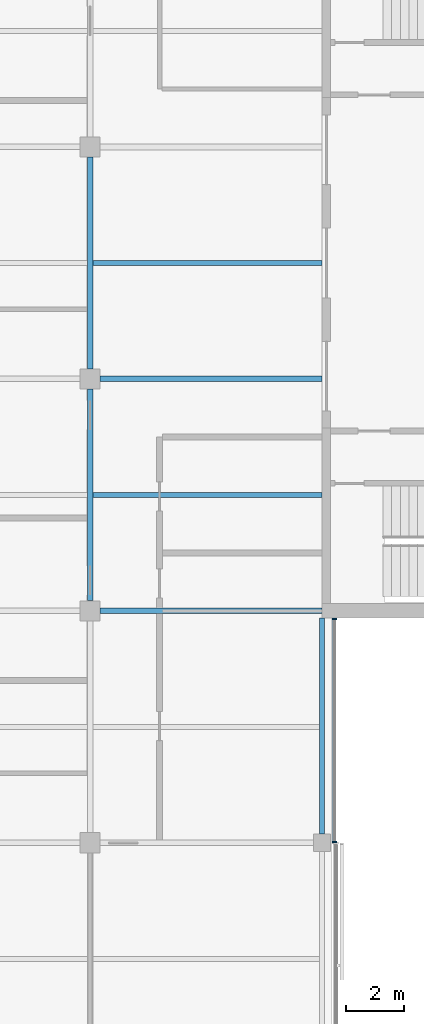
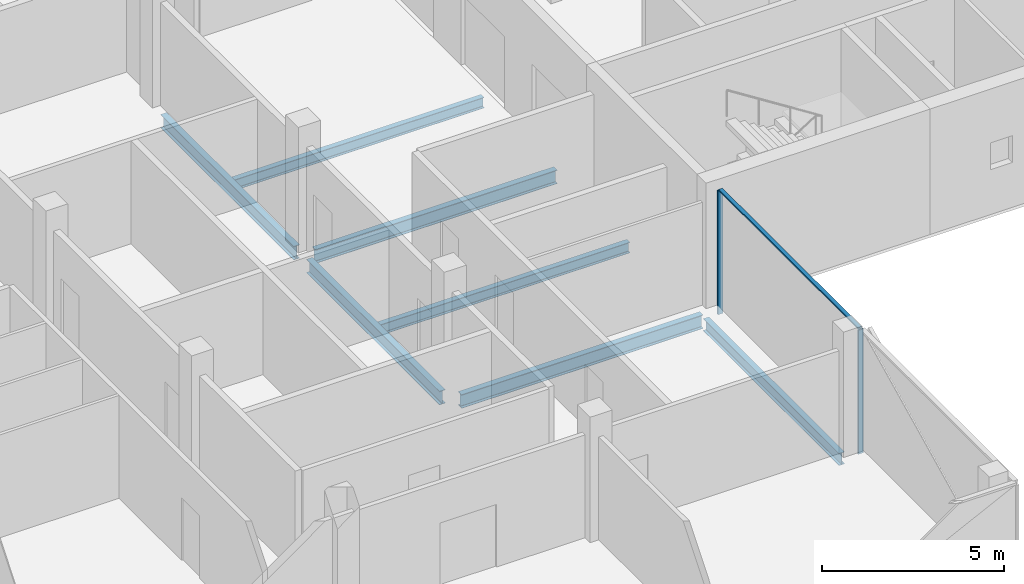
# One storey, part 4 of 16: 7 beams, 3 members, 1 element without a shape of its own.
"""IFC4 building model written with IfcOpenShell, lengths in metres."""

from ifc_helpers import new_model, si_unit, direction, frame, origin, origin_2d, place, context, subcontext, project, spatial, rectangle, i_section, extrude, material, material_profile, profile_set, type_object, element, aggregate, save


model = new_model("IFC4")

# Units and contexts
model_context = context("Model", 3, precision=1e-05, world=origin(), true_north=direction((0.0, 1.0)))
body_context = subcontext(model_context, "Body", "Model", "MODEL_VIEW")
ifc_project = project(units=[si_unit("LENGTHUNIT", "METRE"), si_unit("AREAUNIT", "SQUARE_METRE"), si_unit("VOLUMEUNIT", "CUBIC_METRE"), si_unit("PLANEANGLEUNIT", "RADIAN"), si_unit("MASSUNIT", "GRAM", prefix="KILO")], contexts=[model_context])

# Site, building, storey
site_placement = place(None, origin())
site = spatial("IfcSite", under=ifc_project, at=site_placement, CompositionType="ELEMENT")
building_placement = place(site_placement, origin())
building = spatial("IfcBuilding", under=site, at=building_placement, Name="Crosswind Convention Tower", CompositionType="ELEMENT")
storey_placement = place(building_placement, frame((0.0, 0.0, 291.300048828125)))
storey = spatial("IfcBuildingStorey", under=building, at=storey_placement, Name="L63", CompositionType="ELEMENT", Elevation=291.300048828125)

# Beams
ifc_material_1 = material(Name="Steel S355", Category="steel")
ifc_material_profile_1 = material_profile(ifc_material_1, i_section(OverallWidth=0.177734375, OverallDepth=0.406494140625, WebThickness=0.0078125, FlangeThickness=0.0126953125, FilletRadius=0.01025390625, at=origin_2d()), Name="UB 406x178x60")
ifc_profile_set_1 = profile_set([ifc_material_profile_1], Name="Steel S355")
beam_type_1 = type_object("IfcBeamType", Name="Edge beam UB 406x178x60", PredefinedType="SPANDREL", material=ifc_profile_set_1)
beam_placement = place(storey_placement, frame((137.0, 80.300048828125, -0.503173828125), z_axis=(0.0, 1.0, 0.0), x_axis=(-1.0, 0.0, 0.0)))
element("IfcBeam", 1, at=beam_placement, inside=storey, type_object=beam_type_1, Name="B15 L63 edge beam 12", PredefinedType="SPANDREL", context=body_context, shape_type="SweptSolid", body=[
    extrude(i_section(OverallWidth=0.177734375, OverallDepth=0.406494140625, WebThickness=0.0078125, FlangeThickness=0.0126953125, FilletRadius=0.01025390625, at=origin_2d()), origin(), (0.0, 0.0, 1.0), 7.449951171875),
])
ifc_material_profile_2 = material_profile(ifc_material_1, i_section(OverallWidth=0.18994140625, OverallDepth=0.45361328125, WebThickness=0.008544921875, FlangeThickness=0.0126953125, FilletRadius=0.01025390625, at=origin_2d()), Name="UB 457x191x67")
ifc_profile_set_2 = profile_set([ifc_material_profile_2], Name="Steel S355")
beam_type_2 = type_object("IfcBeamType", Name="Girder UB 457x191x67", PredefinedType="BEAM", material=ifc_profile_set_2)
for number, where, z_axis, x_axis, name in (
    (2, (129.0, 88.35009765625, -0.52685546875), (0.0, 1.0, 0.0), (-1.0, 0.0, 0.0), "B1 L63 girder 18"),
    (3, (129.0, 96.35009765625, -0.52685546875), (0.0, 1.0, 0.0), (-1.0, 0.0, 0.0), "B1 L63 girder 19"),
):
    element("IfcBeam", number, at=place(storey_placement, frame(where, z_axis=z_axis, x_axis=x_axis)), inside=storey, type_object=beam_type_2, Name=name, PredefinedType="BEAM", context=body_context, shape_type="SweptSolid", body=[
        extrude(i_section(OverallWidth=0.18994140625, OverallDepth=0.45361328125, WebThickness=0.008544921875, FlangeThickness=0.0126953125, FilletRadius=0.01025390625, at=origin_2d()), origin(), (0.0, 0.0, 1.0), 7.2998046875),
    ])
ifc_material_profile_3 = material_profile(ifc_material_1, i_section(OverallWidth=0.1904296875, OverallDepth=0.457275390625, WebThickness=0.009033203125, FlangeThickness=0.014404296875, FilletRadius=0.01025390625, at=origin_2d()), Name="UB 457x191x75")
ifc_profile_set_3 = profile_set([ifc_material_profile_3], Name="Steel S355")
beam_type_3 = type_object("IfcBeamType", Name="Girder at core wall UB 457x191x75", PredefinedType="BEAM", material=ifc_profile_set_3)
for number, where, z_axis, x_axis, name in (
    (4, (129.35009765625, 88.0, -0.528564453125), (1.0, 0.0, 0.0), (0.0, 1.0, 0.0), "B22 L63 girder at core wall 5"),
    (5, (129.35009765625, 96.0, -0.528564453125), (1.0, 0.0, 0.0), (0.0, 1.0, 0.0), "B22 L63 girder at core wall 6"),
):
    element("IfcBeam", number, at=place(storey_placement, frame(where, z_axis=z_axis, x_axis=x_axis)), inside=storey, type_object=beam_type_3, Name=name, PredefinedType="BEAM", context=body_context, shape_type="SweptSolid", body=[
        extrude(i_section(OverallWidth=0.1904296875, OverallDepth=0.457275390625, WebThickness=0.009033203125, FlangeThickness=0.014404296875, FilletRadius=0.01025390625, at=origin_2d()), origin(), (0.0, 0.0, 1.0), 7.64990234375),
    ])

# Curtain wall, members
ifc_material_2 = material(Name="Aluminium unitised curtain wall", Category="aluminium")
curtain_wall_type = type_object("IfcCurtainWallType", Name="CORE END SLOT WALL 160", PredefinedType="USERDEFINED", material=ifc_material_2)
curtain_wall_placement = place(storey_placement, origin())
curtain_wall = element("IfcCurtainWall", 6, at=curtain_wall_placement, inside=storey, type_object=curtain_wall_type, Name="CW6 L63 S-E.1-2 slot", ObjectType="UNITISED", PredefinedType="USERDEFINED")
ifc_material_3 = material(Name="Aluminium mullion", Category="aluminium")
ifc_material_profile_4 = material_profile(ifc_material_3, rectangle(XDim=0.159912109375, YDim=0.050048828125, at=origin_2d()), Name="AL 160X50")
ifc_profile_set_4 = profile_set([ifc_material_profile_4], Name="Aluminium mullion")
member_type_1 = type_object("IfcMemberType", Name="MULLION 50X160", PredefinedType="MULLION", material=ifc_profile_set_4)
member_1_placement = place(storey_placement, frame((137.429931640625, 80.02490234375, -0.300048828125), z_axis=(0.0, 0.0, 1.0), x_axis=(1.0, 0.0, 0.0)))
member_1 = element("IfcMember", 7, at=member_1_placement, type_object=member_type_1, Name="CW6 mullion 1", PredefinedType="MULLION", context=body_context, shape_type="SweptSolid", body=[
    extrude(rectangle(XDim=0.159912109375, YDim=0.050048828125, at=origin_2d()), origin(), (0.0, 0.0, 1.0), 4.14990234375),
])
member_2_placement = place(storey_placement, frame((137.429931640625, 87.72509765625, -0.300048828125), z_axis=(0.0, 0.0, 1.0), x_axis=(1.0, 0.0, 0.0)))
member_2 = element("IfcMember", 8, at=member_2_placement, type_object=member_type_1, Name="CW6 mullion 2", PredefinedType="MULLION", context=body_context, shape_type="SweptSolid", body=[
    extrude(rectangle(XDim=0.159912109375, YDim=0.050048828125, at=origin_2d()), origin(), (0.0, 0.0, 1.0), 4.14990234375),
])

# Beams
ifc_material_profile_5 = material_profile(ifc_material_1, i_section(OverallWidth=0.17138671875, OverallDepth=0.355712890625, WebThickness=0.00732421875, FlangeThickness=0.011474609375, FilletRadius=0.01025390625, at=origin_2d()), Name="UB 356x171x51")
ifc_profile_set_5 = profile_set([ifc_material_profile_5], Name="Steel S355")
beam_type_4 = type_object("IfcBeamType", Name="Secondary beam UB 356x171x51", PredefinedType="JOIST", material=ifc_profile_set_5)
for number, where, z_axis, x_axis, name in (
    (9, (129.094970703125, 92.0, -0.477783203125), (1.0, 0.0, 0.0), (0.0, 1.0, 0.0), "B8 L63 secondary beam 17"),
    (10, (129.094970703125, 100.0, -0.477783203125), (1.0, 0.0, 0.0), (0.0, 1.0, 0.0), "B8 L63 secondary beam 18"),
):
    element("IfcBeam", number, at=place(storey_placement, frame(where, z_axis=z_axis, x_axis=x_axis)), inside=storey, type_object=beam_type_4, Name=name, PredefinedType="JOIST", context=body_context, shape_type="SweptSolid", body=[
        extrude(i_section(OverallWidth=0.17138671875, OverallDepth=0.355712890625, WebThickness=0.00732421875, FlangeThickness=0.011474609375, FilletRadius=0.01025390625, at=origin_2d()), origin(), (0.0, 0.0, 1.0), 7.905029296875),
    ])

# Member
ifc_material_4 = material(Name="Aluminium transom", Category="aluminium")
ifc_material_profile_6 = material_profile(ifc_material_4, rectangle(XDim=0.1201171875, YDim=0.050048828125, at=origin_2d()), Name="AL 120X50")
ifc_profile_set_6 = profile_set([ifc_material_profile_6], Name="Aluminium transom")
member_type_2 = type_object("IfcMemberType", Name="TRANSOM 50X120", PredefinedType="USERDEFINED", material=ifc_profile_set_6)
member_3_placement = place(storey_placement, frame((137.429931640625, 80.050048828125, 3.875), z_axis=(0.0, 1.0, 0.0), x_axis=(-1.0, 0.0, 0.0)))
member_3 = element("IfcMember", 11, at=member_3_placement, type_object=member_type_2, Name="CW6 transom", ObjectType="TRANSOM", PredefinedType="USERDEFINED", context=body_context, shape_type="SweptSolid", body=[
    extrude(rectangle(XDim=0.1201171875, YDim=0.050048828125, at=origin_2d()), origin(), (0.0, 0.0, 1.0), 7.64990234375),
])

aggregate(curtain_wall, [member_1, member_2, member_3])

save(model, "model.ifc")
